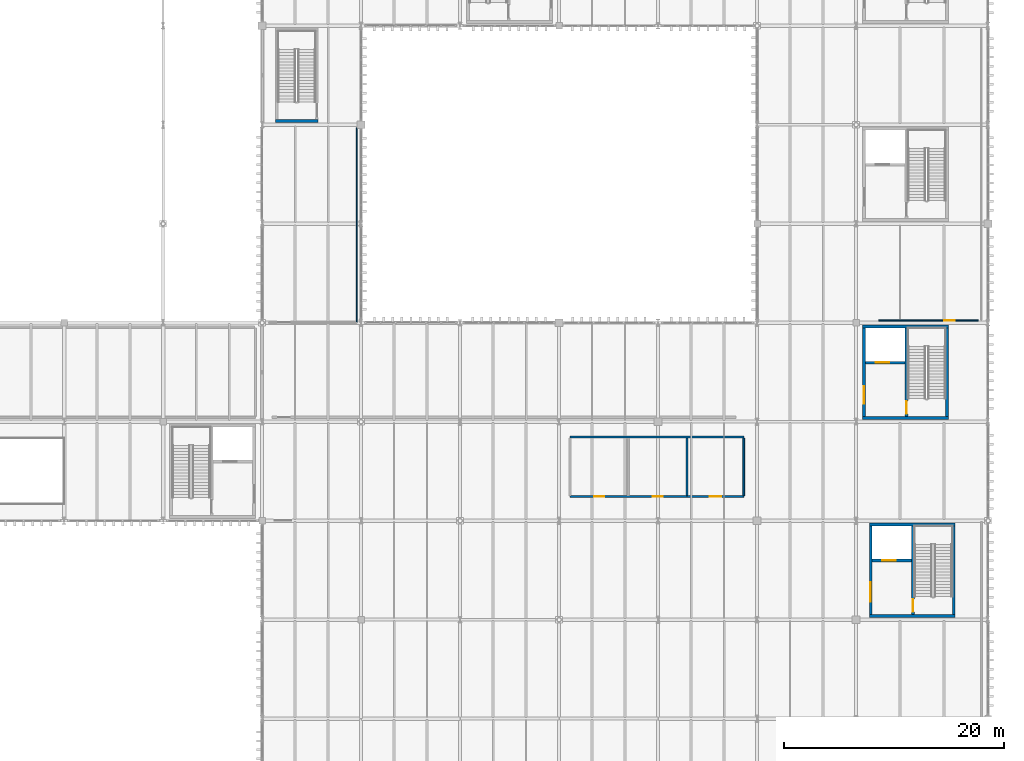
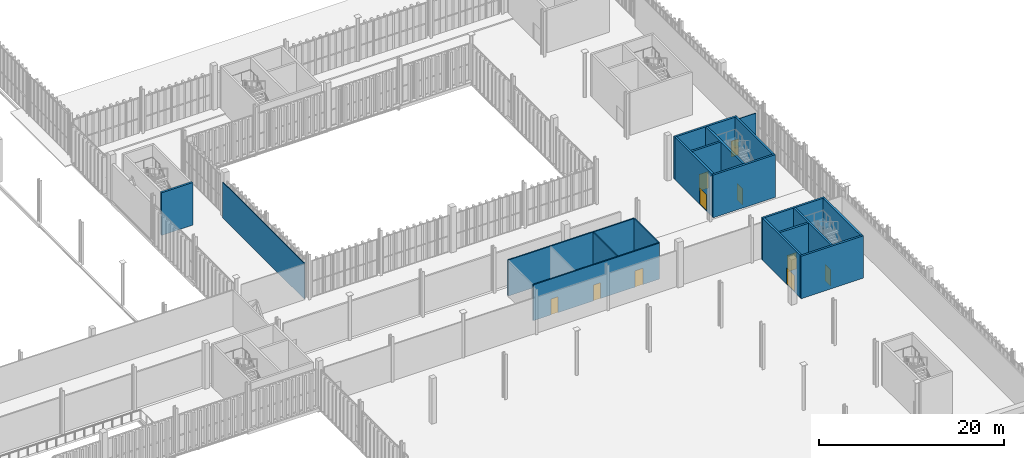
# One storey, part 210 of 237: 19 walls, 10 doors, 10 openings.
"""IFC4 building model written with IfcOpenShell, lengths in metres."""

import ifcopenshell
import ifcopenshell.guid

model = None  # the IFC model being written
_history = None  # IfcOwnerHistory: only IFC2X3 demands one
_inside = {}  # id of a spatial element -> (the spatial element, [elements in it])
_under = {}  # id of a project, library or spatial element -> (it, [spatial elements below it])
_declared = {}  # id of a project -> (the project, [libraries it declares])
_typed = {}  # id of a type object -> (the type object, [elements of that type])
_made_of = {}  # id of a material, layer set ... -> (it, [elements and type objects made of it])


def new_model(schema):
    """Start an empty IFC model of exactly this schema.

    Asked for "IFC4X3", IfcOpenShell would pick the latest addendum, in which some entities
    have other attributes; the version numbers below select the first issue.
    IFC2X3 requires an IfcOwnerHistory on every rooted entity: one is made here for all.
    """
    global model, _history
    if schema == "IFC4X3":
        model = ifcopenshell.file(schema_version=(4, 3, 0, 0))
    else:
        model = ifcopenshell.file(schema=schema)
    _inside.clear()
    _under.clear()
    _declared.clear()
    _typed.clear()
    _made_of.clear()
    _history = None
    if model.schema == "IFC2X3":
        org = make("IfcOrganization", Name="unknown")
        user = make(
            "IfcPersonAndOrganization",
            ThePerson=make("IfcPerson", FamilyName="unknown"),
            TheOrganization=org,
        )
        app = make(
            "IfcApplication",
            ApplicationDeveloper=org,
            Version="unknown",
            ApplicationFullName="unknown",
            ApplicationIdentifier="unknown",
        )
        _history = make(
            "IfcOwnerHistory",
            OwningUser=user,
            OwningApplication=app,
            ChangeAction="ADDED",
            CreationDate=0,
        )
    return model


def make(cls, **values):
    """One entity of the class cls with the attributes given. An attribute that is None is left unset."""
    return model.create_entity(
        cls, **{name: value for name, value in values.items() if value is not None}
    )


def rooted(cls, **values):
    """An entity with a GlobalId (a new one), such as an element, a storey or a relation."""
    return make(cls, GlobalId=ifcopenshell.guid.new(), OwnerHistory=_history, **values)


def si_unit(unit_type, name, prefix=None):
    """IfcSIUnit, for example si_unit("LENGTHUNIT", "METRE", prefix="MILLI")."""
    return make("IfcSIUnit", UnitType=unit_type, Prefix=prefix, Name=name)


def assignment(units):
    """IfcUnitAssignment: the units of a project."""
    return None if units is None else make("IfcUnitAssignment", Units=units)


def point(xyz):
    """IfcCartesianPoint."""
    return None if xyz is None else make("IfcCartesianPoint", Coordinates=xyz)


def direction(xyz):
    """IfcDirection."""
    return None if xyz is None else make("IfcDirection", DirectionRatios=xyz)


def frame(location, z_axis=None, x_axis=None):
    """IfcAxis2Placement3D, a coordinate frame: its origin and axes. An axis left out is left unset."""
    return make(
        "IfcAxis2Placement3D",
        Location=point(location),
        Axis=direction(z_axis),
        RefDirection=direction(x_axis),
    )


def frame_2d(location, x_axis=None):
    """IfcAxis2Placement2D, a coordinate frame in the plane: its origin and x axis."""
    return make(
        "IfcAxis2Placement2D", Location=point(location), RefDirection=direction(x_axis)
    )


def origin():
    """The frame at (0, 0, 0) with its axes left unset."""
    return frame((0.0, 0.0, 0.0))


def place(relative_to, where):
    """IfcLocalPlacement: puts the frame where relative to a parent placement (None: the world)."""
    return make(
        "IfcLocalPlacement", PlacementRelTo=relative_to, RelativePlacement=where
    )


def context(
    kind, dimensions, precision=None, world=None, true_north=None, identifier=None
):
    """IfcGeometricRepresentationContext, for example the 3D "Model" context."""
    return make(
        "IfcGeometricRepresentationContext",
        ContextIdentifier=identifier,
        ContextType=kind,
        CoordinateSpaceDimension=dimensions,
        Precision=precision,
        WorldCoordinateSystem=world,
        TrueNorth=true_north,
    )


def subcontext(parent, identifier, kind, view, scale=None):
    """IfcGeometricRepresentationSubContext, for example "Body" below "Model"."""
    return make(
        "IfcGeometricRepresentationSubContext",
        ContextIdentifier=identifier,
        ContextType=kind,
        ParentContext=parent,
        TargetScale=scale,
        TargetView=view,
    )


def project(units=None, contexts=None):
    """IfcProject with its units and contexts."""
    return rooted(
        "IfcProject",
        Name="project",
        RepresentationContexts=contexts,
        UnitsInContext=assignment(units),
    )


def spatial(cls, under=None, at=None, **own):
    """A site, building, storey or space (cls), placed at a placement, below another one or the project."""
    s = rooted(cls, ObjectPlacement=at, **own)
    if under is not None:
        _under.setdefault(under.id(), (under, []))[1].append(s)
    return s


def profile(cls, at=None, kind="AREA", **sizes):
    """A parametric profile (cls). Its sizes go by their IFC names, for example OverallWidth=200.0."""
    return make(cls, ProfileType=kind, Position=at, **sizes)


def rectangle(**sizes):
    """IfcRectangleProfileDef."""
    return profile("IfcRectangleProfileDef", **sizes)


def extrude(swept, where, along, depth):
    """IfcExtrudedAreaSolid: the profile swept, set in the frame where, extruded along a direction by depth."""
    return make(
        "IfcExtrudedAreaSolid",
        SweptArea=swept,
        Position=where,
        ExtrudedDirection=direction(along),
        Depth=depth,
    )


def shape(context_of_items, identifier, shape_type, items):
    """IfcShapeRepresentation: the items that make up one representation, for example the "Body"."""
    return make(
        "IfcShapeRepresentation",
        ContextOfItems=context_of_items,
        RepresentationIdentifier=identifier,
        RepresentationType=shape_type,
        Items=items,
    )


def material(Name=None, Category=None):
    """IfcMaterial."""
    return make("IfcMaterial", Name=Name, Category=Category)


def layer(
    of_material, thickness, ventilated=None, Name=None, Category=None, Priority=None
):
    """IfcMaterialLayer: one layer of a wall or slab, of a material (None: an air gap)."""
    return make(
        "IfcMaterialLayer",
        Material=of_material,
        LayerThickness=thickness,
        IsVentilated=ventilated,
        Name=Name,
        Category=Category,
        Priority=Priority,
    )


def layer_set(layers, Name=None):
    """IfcMaterialLayerSet."""
    return make("IfcMaterialLayerSet", MaterialLayers=layers, LayerSetName=Name)


def made_of(thing, what):
    """Note that an element or type object is made of a material, layer set ...; save() writes the relation."""
    if what is not None:
        _made_of.setdefault(what.id(), (what, []))[1].append(thing)
    return thing


def type_object(cls, material=None, **own):
    """A type object (cls), such as IfcWallType, which elements share."""
    return made_of(rooted(cls, **own), material)


def element(
    cls,
    number,
    at=None,
    inside=None,
    cuts=None,
    type_object=None,
    material=None,
    context=None,
    identifier="Body",
    shape_type=None,
    held_by="IfcProductDefinitionShape",
    body=None,
    shapes=None,
    **own,
):
    """One element of the class cls, such as IfcWall. Its Tag is "e" and its number.

    at: its placement. inside: the storey or other place that contains it. cuts: it is an
    opening in that element (IfcRelVoidsElement). A single representation is given by context,
    identifier, shape_type and body (its items); several are given by shapes. held_by: the class
    of the entity that holds the representations. save() writes the other relations.
    """
    e = rooted(cls, Tag="e%d" % number, ObjectPlacement=at, **own)
    if body is not None:
        shapes = [shape(context, identifier, shape_type, body)]
    if shapes is not None:
        e.Representation = make(held_by, Representations=shapes)
    if inside is not None:
        _inside.setdefault(inside.id(), (inside, []))[1].append(e)
    if cuts is not None:
        rooted(
            "IfcRelVoidsElement", RelatingBuildingElement=cuts, RelatedOpeningElement=e
        )
    if type_object is not None:
        _typed.setdefault(type_object.id(), (type_object, []))[1].append(e)
    return made_of(e, material)


def fill(opening, filler):
    """IfcRelFillsElement: the door or window that sits in an opening."""
    return rooted(
        "IfcRelFillsElement",
        RelatingOpeningElement=opening,
        RelatedBuildingElement=filler,
    )


def aggregate(whole, parts):
    """IfcRelAggregates: a whole, such as a stair, and the parts it consists of."""
    return rooted("IfcRelAggregates", RelatingObject=whole, RelatedObjects=parts)


def save(model, path):
    """Write the relations noted so far, then the file.

    IfcRelAggregates (storeys below a building ...), IfcRelContainedInSpatialStructure (elements
    in a storey), IfcRelDefinesByType, IfcRelAssociatesMaterial and IfcRelDeclares: one each for
    every whole, place, type object, material and project.
    """
    for whole, parts in _under.values():
        aggregate(whole, parts)
    for where, things in _inside.values():
        rooted(
            "IfcRelContainedInSpatialStructure",
            RelatedElements=things,
            RelatingStructure=where,
        )
    for kind, things in _typed.values():
        rooted("IfcRelDefinesByType", RelatedObjects=things, RelatingType=kind)
    for what, things in _made_of.values():
        rooted("IfcRelAssociatesMaterial", RelatedObjects=things, RelatingMaterial=what)
    for by, libraries in _declared.values():
        rooted("IfcRelDeclares", RelatingContext=by, RelatedDefinitions=libraries)
    model.write(path)


model = new_model("IFC4")

# Units and contexts
model_context = context("Model", 3, precision=1e-05, world=origin(), true_north=direction((0.0, 1.0)))
body_context = subcontext(model_context, "Body", "Model", "MODEL_VIEW")
ifc_project = project(units=[si_unit("LENGTHUNIT", "METRE"), si_unit("AREAUNIT", "SQUARE_METRE"), si_unit("VOLUMEUNIT", "CUBIC_METRE"), si_unit("PLANEANGLEUNIT", "RADIAN"), si_unit("MASSUNIT", "GRAM", prefix="KILO")], contexts=[model_context])

# Site, building, storey
site_placement = place(None, origin())
site = spatial("IfcSite", under=ifc_project, at=site_placement, CompositionType="ELEMENT")
building_placement = place(site_placement, origin())
building = spatial("IfcBuilding", under=site, at=building_placement, Name="Barlavento Convention Centre", CompositionType="ELEMENT")
storey_placement = place(building_placement, frame((0.0, 0.0, 12.0)))
storey = spatial("IfcBuildingStorey", under=building, at=storey_placement, Name="L02", CompositionType="ELEMENT", Elevation=12.0)

# Wall
ifc_material_1 = material(Name="Glazed office partition", Category="glass")
ifc_layer_1 = layer(ifc_material_1, 0.094970703125)
ifc_layer_set_1 = layer_set([ifc_layer_1], Name="ARC-WL-PART-095")
wall_type_1 = type_object("IfcWallType", Name="ARC-WL-PART-095", PredefinedType="PARTITIONING", material=ifc_layer_set_1)
wall_1_placement = place(storey_placement, frame((134.60009765625, 63.056884765625, 0.0), z_axis=(0.0, 0.0, 1.0), x_axis=(0.0, 1.0, 0.0)))
element("IfcWall", 1, at=wall_1_placement, inside=storey, type_object=wall_type_1, Name="L02 interior wall PT-07", PredefinedType="PARTITIONING", context=body_context, shape_type="SweptSolid", body=[
    extrude(rectangle(XDim=17.68603515625, YDim=0.094970703125, at=frame_2d((8.843017578125, 0.0))), origin(), (0.0, 0.0, 1.0), 4.75),
])

# Wall, opening, door
wall_2_placement = place(storey_placement, frame((182.06005859375, 63.199951171875, 0.0), z_axis=(0.0, 0.0, 1.0), x_axis=(1.0, 0.0, 0.0)))
wall_2 = element("IfcWall", 2, at=wall_2_placement, inside=storey, type_object=wall_type_1, Name="L02 interior wall PT-07", PredefinedType="PARTITIONING", context=body_context, shape_type="SweptSolid", body=[
    extrude(rectangle(XDim=9.0400390625, YDim=0.094970703125, at=frame_2d((4.52001953125, 0.0))), origin(), (0.0, 0.0, 1.0), 4.75),
])
opening_1_placement = place(wall_2_placement, frame((5.949951171875, 0.0, 0.0)))
opening_1 = element("IfcOpeningElement", 3, at=opening_1_placement, cuts=wall_2, Name="Opening ID-09", PredefinedType="OPENING", context=body_context, shape_type="SweptSolid", body=[
    extrude(rectangle(XDim=0.93994140625, YDim=2.10009765625, at=frame_2d((0.469970703125, 1.050048828125))), frame((0.0, 0.057373046875, 0.0), z_axis=(0.0, -1.0, 0.0), x_axis=(1.0, 0.0, 0.0)), (0.0, 0.0, 1.0), 0.114990234375),
])
ifc_material_2 = material(Name="Timber veneer acoustic core", Category="wood")
door_type_1 = type_object("IfcDoorType", Name="ARC-DR-ROOM-940X2100", OperationType="NOTDEFINED", PredefinedType="DOOR", material=ifc_material_2)
door_1_placement = place(opening_1_placement, origin())
door_1 = element("IfcDoor", 4, at=door_1_placement, inside=storey, type_object=door_type_1, Name="DR-INT-L02-0233 L02 interior door ID-09", OperationType="SINGLE_SWING_RIGHT", OverallHeight=2.10009765625, OverallWidth=0.93994140625, PredefinedType="DOOR", context=body_context, shape_type="SweptSolid", body=[
    extrude(rectangle(XDim=0.93994140625, YDim=2.10009765625, at=frame_2d((0.469970703125, 1.050048828125))), frame((0.0, 0.02490234375, 0.0), z_axis=(0.0, -1.0, 0.0), x_axis=(1.0, 0.0, 0.0)), (0.0, 0.0, 1.0), 0.050048828125),
])
fill(opening_1, door_1)

# Wall, openings, doors
ifc_material_3 = material(Name="Sanitary service chase plumbing wall")
ifc_layer_2 = layer(ifc_material_3, 0.159912109375)
ifc_layer_set_2 = layer_set([ifc_layer_2], Name="ARC-WL-PLMB-160")
wall_type_2 = type_object("IfcWallType", Name="ARC-WL-PLMB-160", PredefinedType="PLUMBINGWALL", material=ifc_layer_set_2)
wall_3_placement = place(storey_placement, frame((154.0, 47.199951171875, 0.0), z_axis=(0.0, 0.0, 1.0), x_axis=(1.0, 0.0, 0.0)))
wall_3 = element("IfcWall", 5, at=wall_3_placement, inside=storey, type_object=wall_type_2, Name="L02 interior wall PW-03", PredefinedType="PLUMBINGWALL", context=body_context, shape_type="SweptSolid", body=[
    extrude(rectangle(XDim=15.800048828125, YDim=0.159912109375, at=frame_2d((7.89990234375, 0.0))), origin(), (0.0, 0.0, 1.0), 4.75),
])
opening_2_placement = place(wall_3_placement, frame((2.18994140625, 0.0, 0.0)))
opening_2 = element("IfcOpeningElement", 6, at=opening_2_placement, cuts=wall_3, Name="Opening ID-10", PredefinedType="OPENING", context=body_context, shape_type="SweptSolid", body=[
    extrude(rectangle(XDim=0.89990234375, YDim=2.10009765625, at=frame_2d((0.449951171875, 1.050048828125))), frame((0.0, 0.08984375, 0.0), z_axis=(0.0, -1.0, 0.0), x_axis=(1.0, 0.0, 0.0)), (0.0, 0.0, 1.0), 0.179931640625),
])
opening_3_placement = place(wall_3_placement, frame((7.510009765625, 0.0, 0.0)))
opening_3 = element("IfcOpeningElement", 7, at=opening_3_placement, cuts=wall_3, Name="Opening ID-10", PredefinedType="OPENING", context=body_context, shape_type="SweptSolid", body=[
    extrude(rectangle(XDim=0.89990234375, YDim=2.10009765625, at=frame_2d((0.449951171875, 1.050048828125))), frame((0.0, 0.08984375, 0.0), z_axis=(0.0, -1.0, 0.0), x_axis=(1.0, 0.0, 0.0)), (0.0, 0.0, 1.0), 0.179931640625),
])
opening_4_placement = place(wall_3_placement, frame((12.699951171875, 0.0, 0.0)))
opening_4 = element("IfcOpeningElement", 8, at=opening_4_placement, cuts=wall_3, Name="Opening ID-11", PredefinedType="OPENING", context=body_context, shape_type="SweptSolid", body=[
    extrude(rectangle(XDim=1.0400390625, YDim=2.14990234375, at=frame_2d((0.52001953125, 1.074951171875))), frame((0.0, 0.08984375, 0.0), z_axis=(0.0, -1.0, 0.0), x_axis=(1.0, 0.0, 0.0)), (0.0, 0.0, 1.0), 0.179931640625),
])
door_type_2 = type_object("IfcDoorType", Name="ARC-DR-AWC-1040X2150", OperationType="NOTDEFINED", PredefinedType="DOOR", material=ifc_material_2)
door_2_placement = place(opening_4_placement, origin())
door_2 = element("IfcDoor", 9, at=door_2_placement, inside=storey, type_object=door_type_2, Name="DR-INT-L02-0195 L02 Accessible Banquet WC entry door", OperationType="SINGLE_SWING_LEFT", OverallHeight=2.14990234375, OverallWidth=1.0400390625, PredefinedType="DOOR", context=body_context, shape_type="SweptSolid", body=[
    extrude(rectangle(XDim=1.0400390625, YDim=2.14990234375, at=frame_2d((0.52001953125, 1.074951171875))), frame((0.0, 0.02490234375, 0.0), z_axis=(0.0, -1.0, 0.0), x_axis=(1.0, 0.0, 0.0)), (0.0, 0.0, 1.0), 0.050048828125),
])
fill(opening_4, door_2)
door_type_3 = type_object("IfcDoorType", Name="ARC-DR-WC-900X2100", OperationType="NOTDEFINED", PredefinedType="DOOR", material=ifc_material_2)
door_3_placement = place(opening_2_placement, origin())
door_3 = element("IfcDoor", 10, at=door_3_placement, inside=storey, type_object=door_type_3, Name="DR-INT-L02-0193 L02 Male Banquet WC entry door", OperationType="SINGLE_SWING_LEFT", OverallHeight=2.10009765625, OverallWidth=0.89990234375, PredefinedType="DOOR", context=body_context, shape_type="SweptSolid", body=[
    extrude(rectangle(XDim=0.89990234375, YDim=2.10009765625, at=frame_2d((0.449951171875, 1.050048828125))), frame((0.0, 0.02490234375, 0.0), z_axis=(0.0, -1.0, 0.0), x_axis=(1.0, 0.0, 0.0)), (0.0, 0.0, 1.0), 0.050048828125),
])
fill(opening_2, door_3)
door_4_placement = place(opening_3_placement, origin())
door_4 = element("IfcDoor", 11, at=door_4_placement, inside=storey, type_object=door_type_3, Name="DR-INT-L02-0194 L02 Female Banquet WC entry door", OperationType="SINGLE_SWING_RIGHT", OverallHeight=2.10009765625, OverallWidth=0.89990234375, PredefinedType="DOOR", context=body_context, shape_type="SweptSolid", body=[
    extrude(rectangle(XDim=0.89990234375, YDim=2.10009765625, at=frame_2d((0.449951171875, 1.050048828125))), frame((0.0, 0.02490234375, 0.0), z_axis=(0.0, -1.0, 0.0), x_axis=(1.0, 0.0, 0.0)), (0.0, 0.0, 1.0), 0.050048828125),
])
fill(opening_3, door_4)

# Walls
wall_4_placement = place(storey_placement, frame((154.0, 52.60009765625, 0.0), z_axis=(0.0, 0.0, 1.0), x_axis=(1.0, 0.0, 0.0)))
element("IfcWall", 12, at=wall_4_placement, inside=storey, type_object=wall_type_2, Name="L02 interior wall PW-03", PredefinedType="PLUMBINGWALL", context=body_context, shape_type="SweptSolid", body=[
    extrude(rectangle(XDim=15.800048828125, YDim=0.159912109375, at=frame_2d((7.89990234375, 0.0))), origin(), (0.0, 0.0, 1.0), 4.75),
])
for number, where, z_axis, x_axis, name in (
    (13, (164.639892578125, 47.2880859375, 0.0), (0.0, 0.0, 1.0), (0.0, 1.0, 0.0), "L02 interior wall PW-03"),
    (14, (169.800048828125, 47.2880859375, 0.0), (0.0, 0.0, 1.0), (0.0, 1.0, 0.0), "L02 interior wall PW-03"),
):
    element("IfcWall", number, at=place(storey_placement, frame(where, z_axis=z_axis, x_axis=x_axis)), inside=storey, type_object=wall_type_2, Name=name, PredefinedType="PLUMBINGWALL", context=body_context, shape_type="SweptSolid", body=[
        extrude(rectangle(XDim=5.223876953125, YDim=0.159912109375, at=frame_2d((2.61181640625, 0.0))), origin(), (0.0, 0.0, 1.0), 4.75),
    ])

# Wall, opening, door
ifc_material_4 = material(Name="Concrete C50/60", Category="concrete")
ifc_layer_3 = layer(ifc_material_4, 0.25)
ifc_layer_set_3 = layer_set([ifc_layer_3], Name="STR-WL-CORE-250")
wall_type_3 = type_object("IfcWallType", Name="STR-WL-CORE-250", PredefinedType="SHEAR", material=ifc_layer_set_3)
wall_5_placement = place(storey_placement, frame((180.72509765625, 54.469970703125, 0.0), z_axis=(0.0, 0.0, 1.0), x_axis=(0.0, 1.0, 0.0)))
wall_5 = element("IfcWall", 15, at=wall_5_placement, inside=storey, type_object=wall_type_3, Name="L02 interior wall CW-02", PredefinedType="SHEAR", context=body_context, shape_type="SweptSolid", body=[
    extrude(rectangle(XDim=8.06005859375, YDim=0.25, at=frame_2d((4.030029296875, 0.0))), origin(), (0.0, 0.0, 1.0), 5.639892578125),
])
opening_5_placement = place(wall_5_placement, frame((1.14990234375, 0.0, 0.0)))
opening_5 = element("IfcOpeningElement", 16, at=opening_5_placement, cuts=wall_5, Name="Opening FD-02", PredefinedType="OPENING", context=body_context, shape_type="SweptSolid", body=[
    extrude(rectangle(XDim=1.60009765625, YDim=2.199951171875, at=frame_2d((0.800048828125, 1.10009765625))), frame((0.0, 0.135009765625, 0.0), z_axis=(0.0, -1.0, 0.0), x_axis=(1.0, 0.0, 0.0)), (0.0, 0.0, 1.0), 0.27001953125),
])
ifc_material_5 = material(Name="Painted galvanized steel", Category="steel")
door_type_4 = type_object("IfcDoorType", Name="ARC-DR-FIRE-1600X2200", OperationType="DOUBLE_DOOR_SINGLE_SWING", PredefinedType="DOOR", material=ifc_material_5)
door_5_placement = place(opening_5_placement, origin())
door_5 = element("IfcDoor", 17, at=door_5_placement, inside=storey, type_object=door_type_4, Name="DR-INT-L02-0066 L02 LP4 lobby fire door", OperationType="DOUBLE_DOOR_SINGLE_SWING", OverallHeight=2.199951171875, OverallWidth=1.60009765625, PredefinedType="DOOR", context=body_context, shape_type="SweptSolid", body=[
    extrude(rectangle(XDim=1.60009765625, YDim=2.199951171875, at=frame_2d((0.800048828125, 1.10009765625))), frame((0.0, 0.02490234375, 0.0), z_axis=(0.0, -1.0, 0.0), x_axis=(1.0, 0.0, 0.0)), (0.0, 0.0, 1.0), 0.050048828125),
])
fill(opening_5, door_5)

# Walls
wall_6_placement = place(storey_placement, frame((188.27490234375, 54.469970703125, 0.0), z_axis=(0.0, 0.0, 1.0), x_axis=(0.0, 1.0, 0.0)))
element("IfcWall", 18, at=wall_6_placement, inside=storey, type_object=wall_type_3, Name="L02 interior wall CW-02", PredefinedType="SHEAR", context=body_context, shape_type="SweptSolid", body=[
    extrude(rectangle(XDim=8.06005859375, YDim=0.25, at=frame_2d((4.030029296875, 0.0))), origin(), (0.0, 0.0, 1.0), 5.639892578125),
])
for number, where, z_axis, x_axis, name in (
    (19, (180.60009765625, 54.344970703125, 0.0), (0.0, 0.0, 1.0), (1.0, 0.0, 0.0), "L02 interior wall CW-02"),
    (20, (180.60009765625, 62.655029296875, 0.0), (0.0, 0.0, 1.0), (1.0, 0.0, 0.0), "L02 interior wall CW-02"),
):
    element("IfcWall", number, at=place(storey_placement, frame(where, z_axis=z_axis, x_axis=x_axis)), inside=storey, type_object=wall_type_3, Name=name, PredefinedType="SHEAR", context=body_context, shape_type="SweptSolid", body=[
        extrude(rectangle(XDim=7.7998046875, YDim=0.25, at=frame_2d((3.89990234375, 0.0))), origin(), (0.0, 0.0, 1.0), 5.639892578125),
    ])

# Wall, opening, door
wall_7_placement = place(storey_placement, frame((184.5849609375, 54.469970703125, 0.0), z_axis=(0.0, 0.0, 1.0), x_axis=(0.0, 1.0, 0.0)))
wall_7 = element("IfcWall", 21, at=wall_7_placement, inside=storey, type_object=wall_type_3, Name="L02 interior wall CW-02", PredefinedType="SHEAR", context=body_context, shape_type="SweptSolid", body=[
    extrude(rectangle(XDim=8.06005859375, YDim=0.25, at=frame_2d((4.030029296875, 0.0))), origin(), (0.0, 0.0, 1.0), 5.639892578125),
])
opening_6_placement = place(wall_7_placement, frame((0.25, 0.0, 0.0)))
opening_6 = element("IfcOpeningElement", 22, at=opening_6_placement, cuts=wall_7, Name="Opening FD-03", PredefinedType="OPENING", context=body_context, shape_type="SweptSolid", body=[
    extrude(rectangle(XDim=1.14990234375, YDim=2.14990234375, at=frame_2d((0.574951171875, 1.074951171875))), frame((0.0, 0.135009765625, 0.0), z_axis=(0.0, -1.0, 0.0), x_axis=(1.0, 0.0, 0.0)), (0.0, 0.0, 1.0), 0.27001953125),
])
door_type_5 = type_object("IfcDoorType", Name="ARC-DR-FIRE-1150X2150", OperationType="NOTDEFINED", PredefinedType="DOOR", material=ifc_material_5)
door_6_placement = place(opening_6_placement, origin())
door_6 = element("IfcDoor", 23, at=door_6_placement, inside=storey, type_object=door_type_5, Name="DR-INT-L02-0064 L02 ST05 stair fire door FD-03", OperationType="SINGLE_SWING_RIGHT", OverallHeight=2.14990234375, OverallWidth=1.14990234375, PredefinedType="DOOR", context=body_context, shape_type="SweptSolid", body=[
    extrude(rectangle(XDim=1.14990234375, YDim=2.14990234375, at=frame_2d((0.574951171875, 1.074951171875))), frame((0.0, 0.02490234375, 0.0), z_axis=(0.0, -1.0, 0.0), x_axis=(1.0, 0.0, 0.0)), (0.0, 0.0, 1.0), 0.050048828125),
])
fill(opening_6, door_6)

wall_8_placement = place(storey_placement, frame((180.85009765625, 59.3701171875, 0.0), z_axis=(0.0, 0.0, 1.0), x_axis=(1.0, 0.0, 0.0)))
wall_8 = element("IfcWall", 24, at=wall_8_placement, inside=storey, type_object=wall_type_3, Name="L02 interior wall CW-02", PredefinedType="SHEAR", context=body_context, shape_type="SweptSolid", body=[
    extrude(rectangle(XDim=3.60986328125, YDim=0.25, at=frame_2d((1.804931640625, 0.0))), origin(), (0.0, 0.0, 1.0), 5.639892578125),
])
opening_7_placement = place(wall_8_placement, frame((0.949951171875, 0.0, 0.0)))
opening_7 = element("IfcOpeningElement", 25, at=opening_7_placement, cuts=wall_8, Name="Opening LD-01", PredefinedType="OPENING", context=body_context, shape_type="SweptSolid", body=[
    extrude(rectangle(XDim=1.199951171875, YDim=2.199951171875, at=frame_2d((0.60009765625, 1.10009765625))), frame((0.0, 0.135009765625, 0.0), z_axis=(0.0, -1.0, 0.0), x_axis=(1.0, 0.0, 0.0)), (0.0, 0.0, 1.0), 0.27001953125),
])
ifc_material_6 = material(Name="Brushed stainless steel", Category="steel")
door_type_6 = type_object("IfcDoorType", Name="ARC-DR-LIFT-1200X2200", OperationType="DOUBLE_DOOR_SLIDING", PredefinedType="DOOR", material=ifc_material_6)
door_7_placement = place(opening_7_placement, origin())
door_7 = element("IfcDoor", 26, at=door_7_placement, inside=storey, type_object=door_type_6, Name="DR-INT-L02-0065 LP4 lift sliding landing door", OperationType="DOUBLE_DOOR_SLIDING", OverallHeight=2.199951171875, OverallWidth=1.199951171875, PredefinedType="DOOR", context=body_context, shape_type="SweptSolid", body=[
    extrude(rectangle(XDim=1.199951171875, YDim=2.199951171875, at=frame_2d((0.60009765625, 1.10009765625))), frame((0.0, 0.02490234375, 0.0), z_axis=(0.0, -1.0, 0.0), x_axis=(1.0, 0.0, 0.0)), (0.0, 0.0, 1.0), 0.050048828125),
])
fill(opening_7, door_7)

wall_9_placement = place(storey_placement, frame((181.324951171875, 36.469970703125, 0.0), z_axis=(0.0, 0.0, 1.0), x_axis=(0.0, 1.0, 0.0)))
wall_9 = element("IfcWall", 27, at=wall_9_placement, inside=storey, type_object=wall_type_3, Name="L02 interior wall CW-02", PredefinedType="SHEAR", context=body_context, shape_type="SweptSolid", body=[
    extrude(rectangle(XDim=8.06005859375, YDim=0.25, at=frame_2d((4.030029296875, 0.0))), origin(), (0.0, 0.0, 1.0), 5.610107421875),
])
opening_8_placement = place(wall_9_placement, frame((1.14990234375, 0.0, 0.0)))
opening_8 = element("IfcOpeningElement", 28, at=opening_8_placement, cuts=wall_9, Name="Opening FD-01", PredefinedType="OPENING", context=body_context, shape_type="SweptSolid", body=[
    extrude(rectangle(XDim=1.800048828125, YDim=2.199951171875, at=frame_2d((0.89990234375, 1.10009765625))), frame((0.0, 0.135009765625, 0.0), z_axis=(0.0, -1.0, 0.0), x_axis=(1.0, 0.0, 0.0)), (0.0, 0.0, 1.0), 0.27001953125),
])
door_type_7 = type_object("IfcDoorType", Name="ARC-DR-FIRE-1800X2200", OperationType="DOUBLE_DOOR_SINGLE_SWING", PredefinedType="DOOR", material=ifc_material_5)
door_8_placement = place(opening_8_placement, origin())
door_8 = element("IfcDoor", 29, at=door_8_placement, inside=storey, type_object=door_type_7, Name="DR-INT-L02-0087 L02 FL2 lobby fire door", OperationType="DOUBLE_DOOR_SINGLE_SWING", OverallHeight=2.199951171875, OverallWidth=1.800048828125, PredefinedType="DOOR", context=body_context, shape_type="SweptSolid", body=[
    extrude(rectangle(XDim=1.800048828125, YDim=2.199951171875, at=frame_2d((0.89990234375, 1.10009765625))), frame((0.0, 0.02490234375, 0.0), z_axis=(0.0, -1.0, 0.0), x_axis=(1.0, 0.0, 0.0)), (0.0, 0.0, 1.0), 0.050048828125),
])
fill(opening_8, door_8)

# Walls
wall_10_placement = place(storey_placement, frame((188.875, 36.469970703125, 0.0), z_axis=(0.0, 0.0, 1.0), x_axis=(0.0, 1.0, 0.0)))
element("IfcWall", 30, at=wall_10_placement, inside=storey, type_object=wall_type_3, Name="L02 interior wall CW-02", PredefinedType="SHEAR", context=body_context, shape_type="SweptSolid", body=[
    extrude(rectangle(XDim=8.06005859375, YDim=0.25, at=frame_2d((4.030029296875, 0.0))), origin(), (0.0, 0.0, 1.0), 5.610107421875),
])
for number, where, z_axis, x_axis, name in (
    (31, (181.199951171875, 36.344970703125, 0.0), (0.0, 0.0, 1.0), (1.0, 0.0, 0.0), "L02 interior wall CW-02"),
    (32, (181.199951171875, 44.655029296875, 0.0), (0.0, 0.0, 1.0), (1.0, 0.0, 0.0), "L02 interior wall CW-02"),
):
    element("IfcWall", number, at=place(storey_placement, frame(where, z_axis=z_axis, x_axis=x_axis)), inside=storey, type_object=wall_type_3, Name=name, PredefinedType="SHEAR", context=body_context, shape_type="SweptSolid", body=[
        extrude(rectangle(XDim=7.800048828125, YDim=0.25, at=frame_2d((3.89990234375, 0.0))), origin(), (0.0, 0.0, 1.0), 5.610107421875),
    ])

# Wall, opening, door
wall_11_placement = place(storey_placement, frame((185.18505859375, 36.469970703125, 0.0), z_axis=(0.0, 0.0, 1.0), x_axis=(0.0, 1.0, 0.0)))
wall_11 = element("IfcWall", 33, at=wall_11_placement, inside=storey, type_object=wall_type_3, Name="L02 interior wall CW-02", PredefinedType="SHEAR", context=body_context, shape_type="SweptSolid", body=[
    extrude(rectangle(XDim=8.06005859375, YDim=0.25, at=frame_2d((4.030029296875, 0.0))), origin(), (0.0, 0.0, 1.0), 5.610107421875),
])
opening_9_placement = place(wall_11_placement, frame((0.25, 0.0, 0.0)))
opening_9 = element("IfcOpeningElement", 34, at=opening_9_placement, cuts=wall_11, Name="Opening FD-03", PredefinedType="OPENING", context=body_context, shape_type="SweptSolid", body=[
    extrude(rectangle(XDim=1.14990234375, YDim=2.14990234375, at=frame_2d((0.574951171875, 1.074951171875))), frame((0.0, 0.135009765625, 0.0), z_axis=(0.0, -1.0, 0.0), x_axis=(1.0, 0.0, 0.0)), (0.0, 0.0, 1.0), 0.27001953125),
])
door_9_placement = place(opening_9_placement, origin())
door_9 = element("IfcDoor", 35, at=door_9_placement, inside=storey, type_object=door_type_5, Name="DR-INT-L02-0085 L02 ST06 stair fire door FD-03", OperationType="SINGLE_SWING_LEFT", OverallHeight=2.14990234375, OverallWidth=1.14990234375, PredefinedType="DOOR", context=body_context, shape_type="SweptSolid", body=[
    extrude(rectangle(XDim=1.14990234375, YDim=2.14990234375, at=frame_2d((0.574951171875, 1.074951171875))), frame((0.0, 0.02490234375, 0.0), z_axis=(0.0, -1.0, 0.0), x_axis=(1.0, 0.0, 0.0)), (0.0, 0.0, 1.0), 0.050048828125),
])
fill(opening_9, door_9)

wall_12_placement = place(storey_placement, frame((181.449951171875, 41.3701171875, 0.0), z_axis=(0.0, 0.0, 1.0), x_axis=(1.0, 0.0, 0.0)))
wall_12 = element("IfcWall", 36, at=wall_12_placement, inside=storey, type_object=wall_type_3, Name="L02 interior wall CW-02", PredefinedType="SHEAR", context=body_context, shape_type="SweptSolid", body=[
    extrude(rectangle(XDim=3.610107421875, YDim=0.25, at=frame_2d((1.80517578125, 0.0))), origin(), (0.0, 0.0, 1.0), 5.610107421875),
])
opening_10_placement = place(wall_12_placement, frame((0.949951171875, 0.0, 0.0)))
opening_10 = element("IfcOpeningElement", 37, at=opening_10_placement, cuts=wall_12, Name="Opening LD-01", PredefinedType="OPENING", context=body_context, shape_type="SweptSolid", body=[
    extrude(rectangle(XDim=1.199951171875, YDim=2.199951171875, at=frame_2d((0.60009765625, 1.10009765625))), frame((0.0, 0.135009765625, 0.0), z_axis=(0.0, -1.0, 0.0), x_axis=(1.0, 0.0, 0.0)), (0.0, 0.0, 1.0), 0.27001953125),
])
door_10_placement = place(opening_10_placement, origin())
door_10 = element("IfcDoor", 38, at=door_10_placement, inside=storey, type_object=door_type_6, Name="DR-INT-L02-0086 FL2 lift sliding landing door", OperationType="DOUBLE_DOOR_SLIDING", OverallHeight=2.199951171875, OverallWidth=1.199951171875, PredefinedType="DOOR", context=body_context, shape_type="SweptSolid", body=[
    extrude(rectangle(XDim=1.199951171875, YDim=2.199951171875, at=frame_2d((0.60009765625, 1.10009765625))), frame((0.0, 0.02490234375, 0.0), z_axis=(0.0, -1.0, 0.0), x_axis=(1.0, 0.0, 0.0)), (0.0, 0.0, 1.0), 0.050048828125),
])
fill(opening_10, door_10)

# Wall
wall_13_placement = place(storey_placement, frame((127.199951171875, 81.344970703125, 0.0), z_axis=(0.0, 0.0, 1.0), x_axis=(1.0, 0.0, 0.0)))
element("IfcWall", 39, at=wall_13_placement, inside=storey, type_object=wall_type_3, Name="L02 interior wall CW-02", PredefinedType="SHEAR", context=body_context, shape_type="SweptSolid", body=[
    extrude(rectangle(XDim=3.900146484375, YDim=0.25, at=frame_2d((1.9501953125, 0.0))), origin(), (0.0, 0.0, 1.0), 5.639892578125),
])

save(model, "model.ifc")
